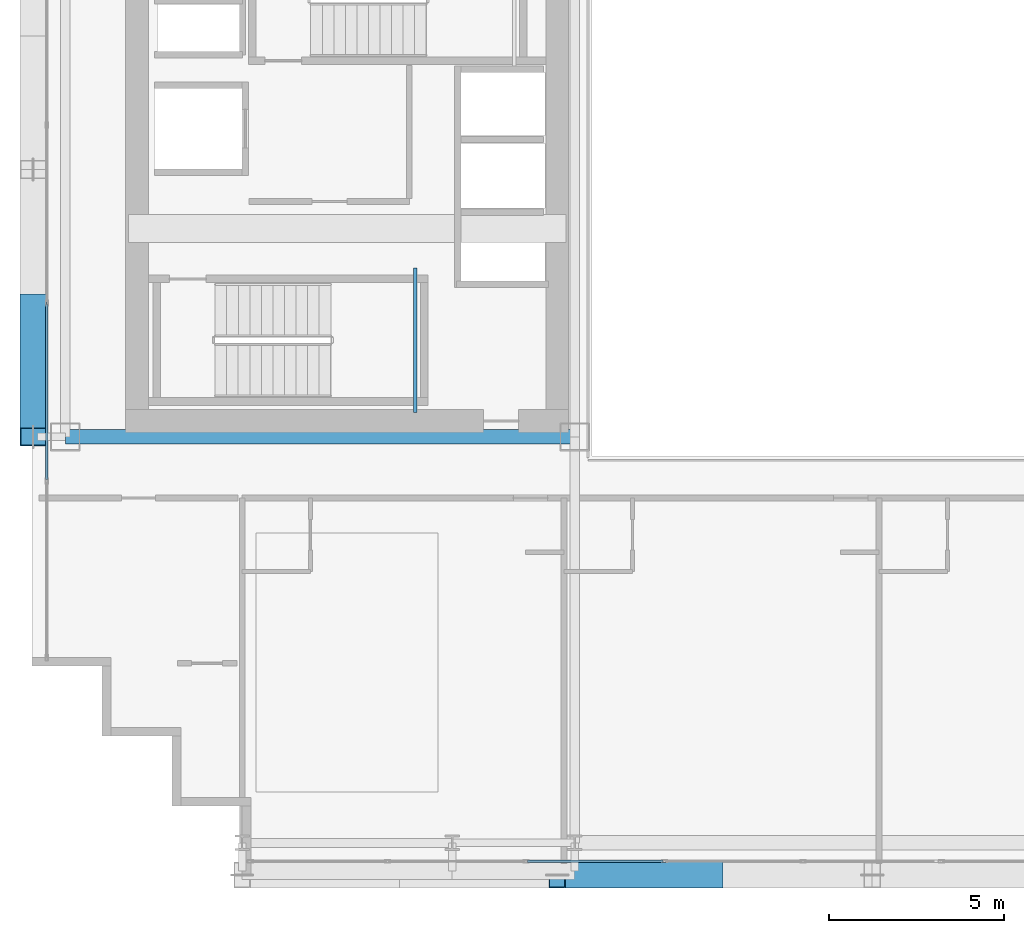
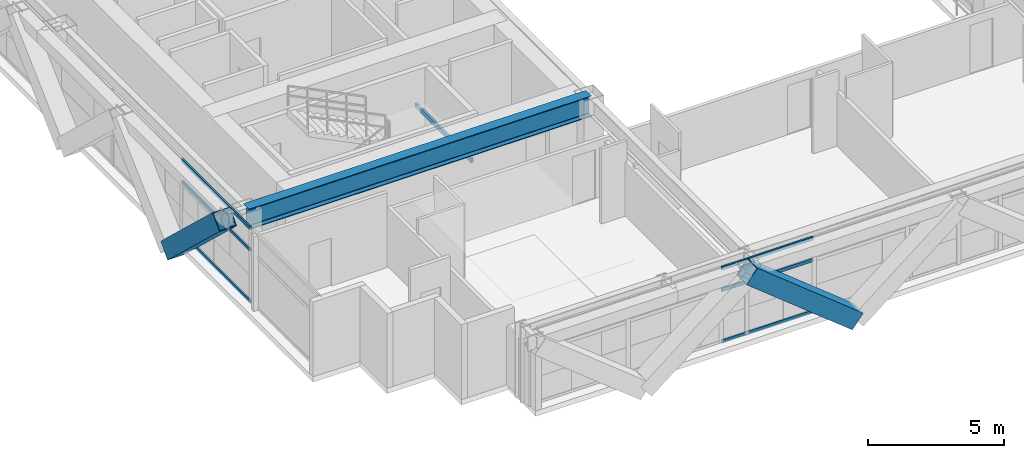
# One storey, part 4 of 34: 8 members, 2 beams, 2 elements without a shape of their own.
"""IFC4 building model written with IfcOpenShell, lengths in metres."""

from ifc_helpers import new_model, si_unit, direction, frame, origin, origin_2d, place, context, subcontext, project, spatial, hollow_rectangle, i_section, extrude, source, transform, mapped, material, layer, layer_set, material_profile, profile_set, type_object, element, aggregate, save


model = new_model("IFC4")

# Units and contexts
model_context = context("Model", 3, precision=1e-05, world=origin(), true_north=direction((0.0, 1.0)))
body_context = subcontext(model_context, "Body", "Model", "MODEL_VIEW")
ifc_project = project(units=[si_unit("LENGTHUNIT", "METRE"), si_unit("AREAUNIT", "SQUARE_METRE"), si_unit("VOLUMEUNIT", "CUBIC_METRE"), si_unit("PLANEANGLEUNIT", "RADIAN"), si_unit("MASSUNIT", "GRAM", prefix="KILO")], contexts=[model_context])

# Site, building, storey
site_placement = place(None, origin())
site = spatial("IfcSite", under=ifc_project, at=site_placement, CompositionType="ELEMENT")
building_placement = place(site_placement, origin())
building = spatial("IfcBuilding", under=site, at=building_placement, Name="Ocotamira Hotel", CompositionType="ELEMENT")
storey_placement = place(building_placement, frame((0.0, 0.0, 108.0)))
storey = spatial("IfcBuildingStorey", under=building, at=storey_placement, Name="L26", CompositionType="ELEMENT", Elevation=108.0)

# Beams
ifc_material_1 = material(Name="Steel ASTM A500 Grade C", Category="steel")
ifc_material_profile_1 = material_profile(ifc_material_1, hollow_rectangle(XDim=0.10009765625, YDim=0.199951171875, WallThickness=0.008056640625, at=origin_2d()), Name="HSS200X100X8")
ifc_profile_set_1 = profile_set([ifc_material_profile_1], Name="Steel ASTM A500 Grade C")
beam_type_1 = type_object("IfcBeamType", Name="BM-STLDG-HSS200", PredefinedType="BEAM", material=ifc_profile_set_1)
shared_shape_1 = source(origin(), body_context, "Body", "SweptSolid", [
    extrude(hollow_rectangle(XDim=0.10009765625, YDim=0.199951171875, WallThickness=0.008056640625, at=origin_2d()), origin(), (0.0, 0.0, 1.0), 4.1201171875),
])
beam_1_placement = place(storey_placement, frame((18.949951171875, 15.25, 1.5), z_axis=(0.0, 1.0, 0.0), x_axis=(-1.0, 0.0, 0.0)))
element("IfcBeam", 1, at=beam_1_placement, inside=storey, type_object=beam_type_1, Name="L26 Stair ST-1 Landing Bearer 1", PredefinedType="BEAM", context=body_context, shape_type="MappedRepresentation", body=[
    mapped(shared_shape_1, transform((0.0, 0.0, 0.0), scale=1.0)),
])
ifc_material_2 = material(Name="Steel ASTM A992 Grade 50", Category="steel")
ifc_material_profile_2 = material_profile(ifc_material_2, i_section(OverallWidth=0.41796875, OverallDepth=0.927001953125, WebThickness=0.019287109375, FlangeThickness=0.031982421875, FilletRadius=0.02392578125, at=origin_2d()), Name="W36X231")
ifc_profile_set_2 = profile_set([ifc_material_profile_2], Name="Steel ASTM A992 Grade 50")
beam_type_2 = type_object("IfcBeamType", Name="BM-GIRD-W36X231", PredefinedType="BEAM", material=ifc_profile_set_2)
shared_shape_2 = source(origin(), body_context, "Body", "SweptSolid", [
    extrude(i_section(OverallWidth=0.41796875, OverallDepth=0.927001953125, WebThickness=0.019287109375, FlangeThickness=0.031982421875, FilletRadius=0.02392578125, at=origin_2d()), origin(), (0.0, 0.0, 1.0), 14.550048828125),
])
beam_2_placement = place(storey_placement, frame((8.949951171875, 14.550048828125, 2.896484375), z_axis=(1.0, 0.0, 0.0), x_axis=(0.0, 1.0, 0.0)))
element("IfcBeam", 2, at=beam_2_placement, inside=storey, type_object=beam_type_2, Name="L26 Girder Y14.55 X8.95-23.5", PredefinedType="BEAM", context=body_context, shape_type="MappedRepresentation", body=[
    mapped(shared_shape_2, transform((0.0, 0.0, 0.0), scale=1.0)),
])

# Members
ifc_material_3 = material(Name="Pale-metal coated steel ASTM A913 Grade 65", Category="steel")
ifc_material_profile_3 = material_profile(ifc_material_3, hollow_rectangle(XDim=0.75, YDim=0.75, WallThickness=0.028076171875, at=origin_2d()), Name="BOX750X750X28")
ifc_profile_set_3 = profile_set([ifc_material_profile_3], Name="Pale-metal coated steel ASTM A913 Grade 65")
member_type_1 = type_object("IfcMemberType", Name="MEM-EXO-BOX750", PredefinedType="BRACE", material=ifc_profile_set_3)
shared_shape_3 = source(origin(), body_context, "Body", "SweptSolid", [
    extrude(hollow_rectangle(XDim=0.75, YDim=0.75, WallThickness=0.028076171875, at=origin_2d()), origin(), (0.0, 0.0, 1.0), 5.762939453125),
])
member_1_placement = place(storey_placement, frame((27.5, 2.030029296875, -0.489990234375), z_axis=(-0.780860543151, 0.0, 0.624705380279), x_axis=(0.0, -1.0, 0.0)))
element("IfcMember", 3, at=member_1_placement, inside=storey, type_object=member_type_1, Name="L26 Exoskeleton Diagrid S1.1", PredefinedType="BRACE", context=body_context, shape_type="MappedRepresentation", body=[
    mapped(shared_shape_3, transform((0.0, 0.0, 0.0), scale=1.0)),
])
shared_shape_4 = source(origin(), body_context, "Body", "SweptSolid", [
    extrude(hollow_rectangle(XDim=0.75, YDim=0.75, WallThickness=0.028076171875, at=origin_2d()), origin(), (0.0, 0.0, 1.0), 5.24658203125),
])
member_2_placement = place(storey_placement, frame((8.030029296875, 18.36669921875, -0.489990234375), z_axis=(0.0, -0.727442733726, 0.686168397078), x_axis=(1.0, 0.0, 0.0)))
element("IfcMember", 4, at=member_2_placement, inside=storey, type_object=member_type_1, Name="L26 Exoskeleton Diagrid W0.1", PredefinedType="BRACE", context=body_context, shape_type="MappedRepresentation", body=[
    mapped(shared_shape_4, transform((0.0, 0.0, 0.0), scale=1.0)),
])

# Curtain wall, members
ifc_material_4 = material(Name="Anodised pale-metal aluminium and solar glass", Category="aluminium")
ifc_layer = layer(ifc_material_4, 0.179931640625)
ifc_layer_set = layer_set([ifc_layer], Name="Anodised pale-metal aluminium and solar glass")
curtain_wall_type = type_object("IfcCurtainWallType", Name="CW-SYS3-Z2", PredefinedType="NOTDEFINED", material=ifc_layer_set)
curtain_wall_1_placement = place(storey_placement, origin())
curtain_wall_1 = element("IfcCurtainWall", 5, at=curtain_wall_1_placement, inside=storey, type_object=curtain_wall_type, Name="L26 Curtain Wall CW-3 CW-L26-S1", PredefinedType="NOTDEFINED")
ifc_material_5 = material(Name="Anodised pale-metal aluminium 6063-T6", Category="aluminium")
ifc_material_profile_4 = material_profile(ifc_material_5, hollow_rectangle(XDim=0.074951171875, YDim=0.14990234375, WallThickness=0.006103515625, at=origin_2d()), Name="HSS150X75X6")
ifc_profile_set_4 = profile_set([ifc_material_profile_4], Name="Anodised pale-metal aluminium 6063-T6")
member_type_2 = type_object("IfcMemberType", Name="CWT-150X75", PredefinedType="USERDEFINED", material=ifc_profile_set_4)
shared_shape_5 = source(origin(), body_context, "Body", "SweptSolid", [
    extrude(hollow_rectangle(XDim=0.074951171875, YDim=0.14990234375, WallThickness=0.006103515625, at=origin_2d()), origin(), (0.0, 0.0, 1.0), 3.87548828125),
])
member_3_placement = place(storey_placement, frame((22.151123046875, 2.419921875, 0.03759765625), z_axis=(1.0, 0.0, 0.0), x_axis=(0.0, 1.0, 0.0)))
member_3 = element("IfcMember", 6, at=member_3_placement, type_object=member_type_2, Name="CW-3 transom 3.1", ObjectType="TRANSOM", PredefinedType="USERDEFINED", context=body_context, shape_type="MappedRepresentation", body=[
    mapped(shared_shape_5, transform((0.0, 0.0, 0.0), scale=1.0)),
])
member_4_placement = place(storey_placement, frame((22.151123046875, 2.419921875, 2.35009765625), z_axis=(1.0, 0.0, 0.0), x_axis=(0.0, 1.0, 0.0)))
member_4 = element("IfcMember", 7, at=member_4_placement, type_object=member_type_2, Name="CW-3 transom 3.2", ObjectType="TRANSOM", PredefinedType="USERDEFINED", context=body_context, shape_type="MappedRepresentation", body=[
    mapped(shared_shape_5, transform((0.0, 0.0, 0.0), scale=1.0)),
])
member_5_placement = place(storey_placement, frame((22.151123046875, 2.419921875, 3.322509765625), z_axis=(1.0, 0.0, 0.0), x_axis=(0.0, 1.0, 0.0)))
member_5 = element("IfcMember", 8, at=member_5_placement, type_object=member_type_2, Name="CW-3 transom 3.3", ObjectType="TRANSOM", PredefinedType="USERDEFINED", context=body_context, shape_type="MappedRepresentation", body=[
    mapped(shared_shape_5, transform((0.0, 0.0, 0.0), scale=1.0)),
])
aggregate(curtain_wall_1, [member_3, member_4, member_5])

curtain_wall_2_placement = place(storey_placement, origin())
curtain_wall_2 = element("IfcCurtainWall", 9, at=curtain_wall_2_placement, inside=storey, type_object=curtain_wall_type, Name="L26 Curtain Wall CW-3 CW-L26-W", PredefinedType="NOTDEFINED")
shared_shape_6 = source(origin(), body_context, "Body", "SweptSolid", [
    extrude(hollow_rectangle(XDim=0.074951171875, YDim=0.14990234375, WallThickness=0.006103515625, at=origin_2d()), origin(), (0.0, 0.0, 1.0), 5.005859375),
])
member_6_placement = place(storey_placement, frame((8.419921875, 13.32568359375, 0.03759765625), z_axis=(0.0, 1.0, 0.0), x_axis=(-1.0, 0.0, 0.0)))
member_6 = element("IfcMember", 10, at=member_6_placement, type_object=member_type_2, Name="CW-3 transom 2.1", ObjectType="TRANSOM", PredefinedType="USERDEFINED", context=body_context, shape_type="MappedRepresentation", body=[
    mapped(shared_shape_6, transform((0.0, 0.0, 0.0), scale=1.0)),
])
member_7_placement = place(storey_placement, frame((8.419921875, 13.32568359375, 2.35009765625), z_axis=(0.0, 1.0, 0.0), x_axis=(-1.0, 0.0, 0.0)))
member_7 = element("IfcMember", 11, at=member_7_placement, type_object=member_type_2, Name="CW-3 transom 2.2", ObjectType="TRANSOM", PredefinedType="USERDEFINED", context=body_context, shape_type="MappedRepresentation", body=[
    mapped(shared_shape_6, transform((0.0, 0.0, 0.0), scale=1.0)),
])
member_8_placement = place(storey_placement, frame((8.419921875, 13.32568359375, 3.322509765625), z_axis=(0.0, 1.0, 0.0), x_axis=(-1.0, 0.0, 0.0)))
member_8 = element("IfcMember", 12, at=member_8_placement, type_object=member_type_2, Name="CW-3 transom 2.3", ObjectType="TRANSOM", PredefinedType="USERDEFINED", context=body_context, shape_type="MappedRepresentation", body=[
    mapped(shared_shape_6, transform((0.0, 0.0, 0.0), scale=1.0)),
])
aggregate(curtain_wall_2, [member_6, member_7, member_8])

save(model, "model.ifc")
